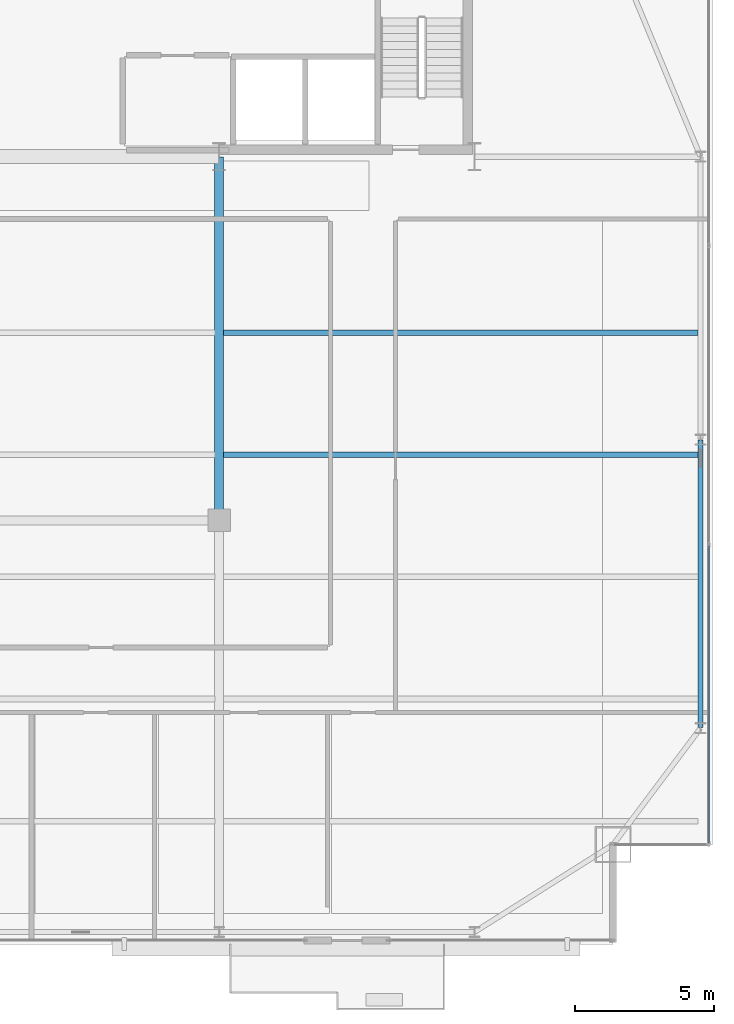
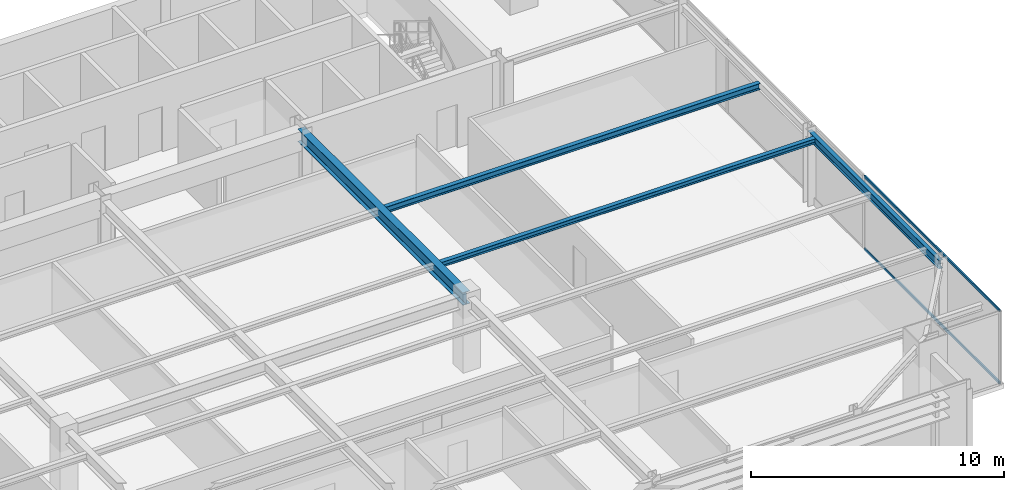
# One storey, part 16 of 30: 4 beams, 2 members, 1 element without a shape of its own.
"""IFC4 building model written with IfcOpenShell, lengths in metres."""

from ifc_helpers import new_model, si_unit, direction, frame, origin, origin_2d, place, context, subcontext, project, spatial, hollow_rectangle, i_section, extrude, source, transform, mapped, material, layer, layer_set, material_profile, profile_set, type_object, type_shapes, element, aggregate, save


model = new_model("IFC4")

# Units and contexts
model_context = context("Model", 3, precision=1e-05, world=origin(), true_north=direction((0.0, 1.0)))
body_context = subcontext(model_context, "Body", "Model", "MODEL_VIEW")
ifc_project = project(units=[si_unit("LENGTHUNIT", "METRE"), si_unit("AREAUNIT", "SQUARE_METRE"), si_unit("VOLUMEUNIT", "CUBIC_METRE"), si_unit("PLANEANGLEUNIT", "RADIAN"), si_unit("MASSUNIT", "GRAM", prefix="KILO")], contexts=[model_context])

# Site, building, storey
site_placement = place(None, origin())
site = spatial("IfcSite", under=ifc_project, at=site_placement, CompositionType="ELEMENT")
building_placement = place(site_placement, origin())
building = spatial("IfcBuilding", under=site, at=building_placement, Name="Varnel Quay Broadcast Tower", CompositionType="ELEMENT")
storey_placement = place(building_placement, frame((0.0, 0.0, 168.60009765625)))
storey = spatial("IfcBuildingStorey", under=building, at=storey_placement, Name="L41", CompositionType="ELEMENT", Elevation=168.60009765625)

# Beams
ifc_material_1 = material(Name="Structural Steel CSA G40.21 350W", Category="steel")
ifc_material_profile_1 = material_profile(ifc_material_1, i_section(OverallWidth=0.180908203125, OverallDepth=0.4169921875, WebThickness=0.010986328125, FlangeThickness=0.018310546875, FilletRadius=0.011962890625, at=origin_2d()), Name="W410X85")
ifc_profile_set_1 = profile_set([ifc_material_profile_1], Name="Structural Steel CSA G40.21 350W")
beam_type_1 = type_object("IfcBeamType", Name="Beam_W410X85", PredefinedType="SPANDREL", material=ifc_profile_set_1)
shared_shape_1 = source(origin(), body_context, "Body", "SweptSolid", [
    extrude(i_section(OverallWidth=0.180908203125, OverallDepth=0.4169921875, WebThickness=0.010986328125, FlangeThickness=0.018310546875, FilletRadius=0.011962890625, at=origin_2d()), origin(), (0.0, 0.0, 1.0), 10.35986328125),
])
type_shapes(beam_type_1, [shared_shape_1])
beam_1_placement = place(storey_placement, frame((60.550048828125, 15.02001953125, 3.34130859375), z_axis=(0.0, 1.0, 0.0), x_axis=(-1.0, 0.0, 0.0)))
element("IfcBeam", 1, at=beam_1_placement, inside=storey, type_object=beam_type_1, Name="L41 East Spandrel TC-E1-TC-E2", PredefinedType="SPANDREL", context=body_context, shape_type="MappedRepresentation", body=[
    mapped(shared_shape_1, transform((0.0, 0.0, 0.0), x_axis=(1.0, 0.0, 0.0), y_axis=(0.0, 1.0, 0.0), z_axis=(0.0, 0.0, 1.0), scale=1.0)),
])
ifc_material_profile_2 = material_profile(ifc_material_1, i_section(OverallWidth=0.324951171875, OverallDepth=0.615966796875, WebThickness=0.013916015625, FlangeThickness=0.021484375, FilletRadius=0.01611328125, at=origin_2d()), Name="W610X174")
ifc_profile_set_2 = profile_set([ifc_material_profile_2], Name="Structural Steel CSA G40.21 350W")
beam_type_2 = type_object("IfcBeamType", Name="Girder_W610X174", PredefinedType="BEAM", material=ifc_profile_set_2)
shared_shape_2 = source(origin(), body_context, "Body", "SweptSolid", [
    extrude(i_section(OverallWidth=0.324951171875, OverallDepth=0.615966796875, WebThickness=0.013916015625, FlangeThickness=0.021484375, FilletRadius=0.01611328125, at=origin_2d()), origin(), (0.0, 0.0, 1.0), 13.070068359375),
])
type_shapes(beam_type_2, [shared_shape_2])
beam_2_placement = place(storey_placement, frame((43.199951171875, 22.510009765625, 3.241943359375), z_axis=(0.0, 1.0, 0.0), x_axis=(-1.0, 0.0, 0.0)))
element("IfcBeam", 2, at=beam_2_placement, inside=storey, type_object=beam_type_2, Name="L41 Primary Girder IC-02-CC-S4", PredefinedType="BEAM", context=body_context, shape_type="MappedRepresentation", body=[
    mapped(shared_shape_2, transform((0.0, 0.0, 0.0), x_axis=(1.0, 0.0, 0.0), y_axis=(0.0, 1.0, 0.0), z_axis=(0.0, 0.0, 1.0), scale=1.0)),
])
ifc_material_profile_3 = material_profile(ifc_material_1, i_section(OverallWidth=0.202880859375, OverallDepth=0.302978515625, WebThickness=0.007568359375, FlangeThickness=0.01318359375, FilletRadius=0.011962890625, at=origin_2d()), Name="W310X60")
ifc_profile_set_3 = profile_set([ifc_material_profile_3], Name="Structural Steel CSA G40.21 350W")
beam_type_3 = type_object("IfcBeamType", Name="Beam_W310X60", PredefinedType="JOIST", material=ifc_profile_set_3)
shared_shape_3 = source(origin(), body_context, "Body", "SweptSolid", [
    extrude(i_section(OverallWidth=0.202880859375, OverallDepth=0.302978515625, WebThickness=0.007568359375, FlangeThickness=0.01318359375, FilletRadius=0.011962890625, at=origin_2d()), origin(), (0.0, 0.0, 1.0), 17.107177734375),
])
type_shapes(beam_type_3, [shared_shape_3])
beam_3_placement = place(storey_placement, frame((43.357421875, 29.25, 3.3984375), z_axis=(1.0, 0.0, 0.0), x_axis=(0.0, 1.0, 0.0)))
element("IfcBeam", 3, at=beam_3_placement, inside=storey, type_object=beam_type_3, Name="L41 East Floor Joist 5", PredefinedType="JOIST", context=body_context, shape_type="MappedRepresentation", body=[
    mapped(shared_shape_3, transform((0.0, 0.0, 0.0), x_axis=(1.0, 0.0, 0.0), y_axis=(0.0, 1.0, 0.0), z_axis=(0.0, 0.0, 1.0), scale=1.0)),
])
ifc_material_profile_4 = material_profile(ifc_material_1, i_section(OverallWidth=0.201904296875, OverallDepth=0.2470703125, WebThickness=0.00732421875, FlangeThickness=0.010986328125, FilletRadius=0.010986328125, at=origin_2d()), Name="W250X49")
ifc_profile_set_4 = profile_set([ifc_material_profile_4], Name="Structural Steel CSA G40.21 350W")
beam_type_4 = type_object("IfcBeamType", Name="Beam_W250X49", PredefinedType="JOIST", material=ifc_profile_set_4)
shared_shape_4 = source(origin(), body_context, "Body", "SweptSolid", [
    extrude(i_section(OverallWidth=0.201904296875, OverallDepth=0.2470703125, WebThickness=0.00732421875, FlangeThickness=0.010986328125, FilletRadius=0.010986328125, at=origin_2d()), origin(), (0.0, 0.0, 1.0), 17.107177734375),
])
type_shapes(beam_type_4, [shared_shape_4])
beam_4_placement = place(storey_placement, frame((43.357421875, 24.85009765625, 3.426513671875), z_axis=(1.0, 0.0, 0.0), x_axis=(0.0, 1.0, 0.0)))
element("IfcBeam", 4, at=beam_4_placement, inside=storey, type_object=beam_type_4, Name="L41 East Floor Joist 4", PredefinedType="JOIST", context=body_context, shape_type="MappedRepresentation", body=[
    mapped(shared_shape_4, transform((0.0, 0.0, 0.0), x_axis=(1.0, 0.0, 0.0), y_axis=(0.0, 1.0, 0.0), z_axis=(0.0, 0.0, 1.0), scale=1.0)),
])

# Curtain wall, members
ifc_material_2 = material(Name="Anodised Bronze Aluminium 6063-T6", Category="aluminium")
ifc_layer = layer(ifc_material_2, 0.18994140625, Name="Anodised Bronze Aluminium 6063-T6")
ifc_layer_set = layer_set([ifc_layer], Name="Anodised Bronze Aluminium 6063-T6")
curtain_wall_type = type_object("IfcCurtainWallType", Name="CW_UpperTower", PredefinedType="NOTDEFINED", material=ifc_layer_set)
curtain_wall_placement = place(storey_placement, origin())
curtain_wall = element("IfcCurtainWall", 5, at=curtain_wall_placement, inside=storey, type_object=curtain_wall_type, Name="L41 East Unitised Curtain Wall", PredefinedType="NOTDEFINED")
ifc_material_profile_5 = material_profile(ifc_material_2, hollow_rectangle(XDim=0.06005859375, YDim=0.125, WallThickness=0.0029296875, at=origin_2d()), Name="ALU60X125X3")
ifc_profile_set_5 = profile_set([ifc_material_profile_5], Name="Anodised Bronze Aluminium 6063-T6")
member_type = type_object("IfcMemberType", Name="Tran_CWS-03", PredefinedType="USERDEFINED", material=ifc_profile_set_5)
shared_shape_5 = source(origin(), body_context, "Body", "SweptSolid", [
    extrude(hollow_rectangle(XDim=0.06005859375, YDim=0.125, WallThickness=0.0029296875, at=origin_2d()), origin(), (0.0, 0.0, 1.0), 10.702392578125),
])
type_shapes(member_type, [shared_shape_5])
member_1_placement = place(storey_placement, frame((60.85009765625, 10.864990234375, 0.02978515625), z_axis=(0.0, 1.0, 0.0), x_axis=(-1.0, 0.0, 0.0)))
member_1 = element("IfcMember", 6, at=member_1_placement, type_object=member_type, Name="CWS-03 transom 1.1", ObjectType="TRANSOM", PredefinedType="USERDEFINED", context=body_context, shape_type="MappedRepresentation", body=[
    mapped(shared_shape_5, transform((0.0, 0.0, 0.0), x_axis=(1.0, 0.0, 0.0), y_axis=(0.0, 1.0, 0.0), z_axis=(0.0, 0.0, 1.0), scale=1.0)),
])
member_2_placement = place(storey_placement, frame((60.85009765625, 10.864990234375, 3.52001953125), z_axis=(0.0, 1.0, 0.0), x_axis=(-1.0, 0.0, 0.0)))
member_2 = element("IfcMember", 7, at=member_2_placement, type_object=member_type, Name="CWS-03 transom 1.2", ObjectType="TRANSOM", PredefinedType="USERDEFINED", context=body_context, shape_type="MappedRepresentation", body=[
    mapped(shared_shape_5, transform((0.0, 0.0, 0.0), x_axis=(1.0, 0.0, 0.0), y_axis=(0.0, 1.0, 0.0), z_axis=(0.0, 0.0, 1.0), scale=1.0)),
])
aggregate(curtain_wall, [member_1, member_2])

save(model, "model.ifc")
